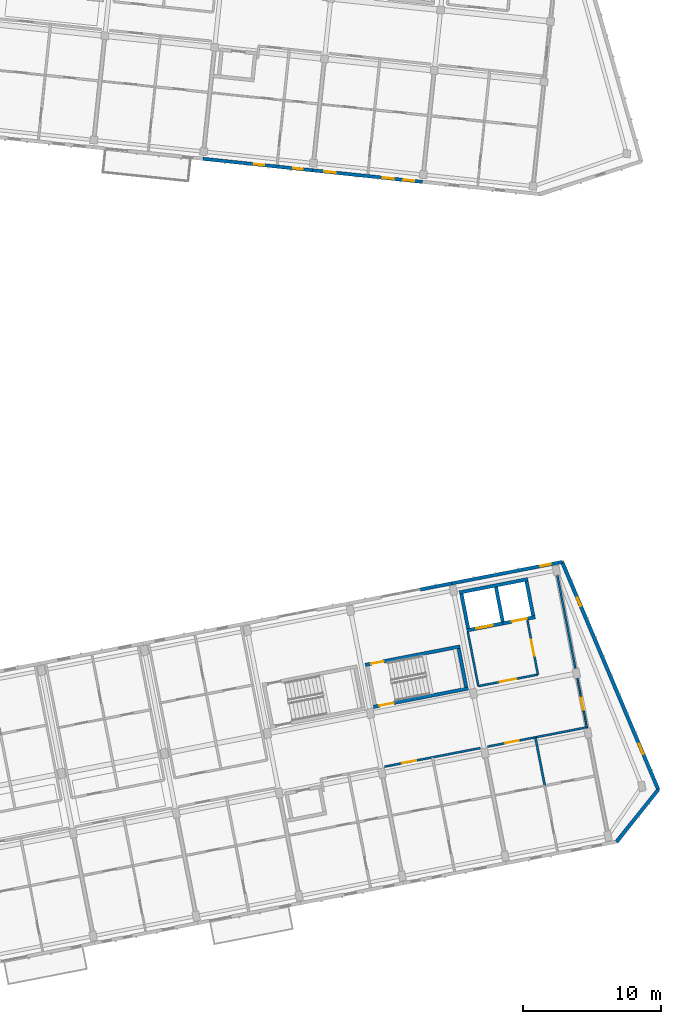
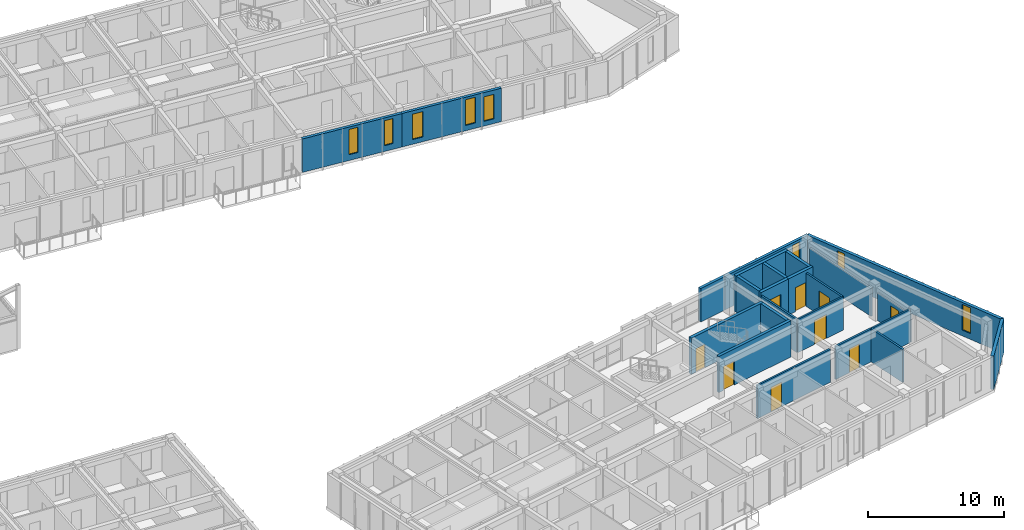
# One storey, part 90 of 127: 23 walls, 9 doors, 8 windows, 17 openings.
"""IFC4 building model written with IfcOpenShell, lengths in metres."""

from ifc_helpers import new_model, si_unit, direction, frame, frame_2d, origin, place, context, subcontext, project, spatial, rectangle, extrude, material, layer, layer_set, type_object, element, fill, save


model = new_model("IFC4")

# Units and contexts
model_context = context("Model", 3, precision=1e-05, world=origin(), true_north=direction((0.0, 1.0)))
body_context = subcontext(model_context, "Body", "Model", "MODEL_VIEW")
ifc_project = project(units=[si_unit("LENGTHUNIT", "METRE"), si_unit("AREAUNIT", "SQUARE_METRE"), si_unit("VOLUMEUNIT", "CUBIC_METRE"), si_unit("PLANEANGLEUNIT", "RADIAN"), si_unit("MASSUNIT", "GRAM", prefix="KILO")], contexts=[model_context])

# Site, building, storey
site_placement = place(None, origin())
site = spatial("IfcSite", under=ifc_project, at=site_placement, CompositionType="ELEMENT")
building_placement = place(site_placement, origin())
building = spatial("IfcBuilding", under=site, at=building_placement, Name="Kestramere Prow Commons", CompositionType="ELEMENT")
storey_placement = place(building_placement, frame((0.0, 0.0, 8.39990234375)))
storey = spatial("IfcBuildingStorey", under=building, at=storey_placement, Name="L02", CompositionType="ELEMENT", Elevation=8.39990234375)

# Wall, openings, windows
ifc_material_1 = material(Name="Weathered Zinc-Titanium Standing-Seam Cladding")
ifc_layer_1 = layer(ifc_material_1, 0.260009765625)
ifc_layer_set_1 = layer_set([ifc_layer_1], Name="Weathered Zinc-Titanium Standing-Seam Cladding")
wall_type_1 = type_object("IfcWallType", Name="EW-PROW-260", PredefinedType="SOLIDWALL", material=ifc_layer_set_1)
wall_1_placement = place(storey_placement, frame((159.83740234375, 62.556396484375, 0.0), z_axis=(0.0, 0.0, 1.0), x_axis=(0.389225507936, -0.921142499276, 0.0)))
wall_1 = element("IfcWall", 1, at=wall_1_placement, inside=storey, type_object=wall_type_1, Name="Block D L02 PRW-N Facet Wall", PredefinedType="SOLIDWALL", context=body_context, shape_type="SweptSolid", body=[
    extrude(rectangle(XDim=17.910400390625, YDim=0.260009765625, at=frame_2d((8.955078125, 0.0))), origin(), (0.0, 0.0, 1.0), 3.0),
])
opening_1_placement = place(wall_1_placement, frame((2.81005859375, 0.0, 0.449951171875)))
opening_1 = element("IfcOpeningElement", 2, at=opening_1_placement, cuts=wall_1, Name="Opening WN-05", PredefinedType="OPENING", context=body_context, shape_type="SweptSolid", body=[
    extrude(rectangle(XDim=0.659912109375, YDim=2.320068359375, at=frame_2d((0.330078125, 1.16015625))), frame((0.0, 0.14501953125, 0.0), z_axis=(0.0, -1.0, 0.0), x_axis=(1.0, 0.0, 0.0)), (0.0, 0.0, 1.0), 0.2900390625),
])
opening_2_placement = place(wall_1_placement, frame((14.30029296875, 0.0, 0.52001953125)))
opening_2 = element("IfcOpeningElement", 3, at=opening_2_placement, cuts=wall_1, Name="Opening WN-12", PredefinedType="OPENING", context=body_context, shape_type="SweptSolid", body=[
    extrude(rectangle(XDim=0.800048828125, YDim=2.300048828125, at=frame_2d((0.39990234375, 1.14990234375))), frame((0.0, 0.14501953125, 0.0), z_axis=(0.0, -1.0, 0.0), x_axis=(1.0, 0.0, 0.0)), (0.0, 0.0, 1.0), 0.2900390625),
])
ifc_material_2 = material(Name="Low-E Laminated Double Glazing", Category="glass")
window_type_1 = type_object("IfcWindowType", Name="WN-NAR-660A", PartitioningType="SINGLE_PANEL", PredefinedType="WINDOW", material=ifc_material_2)
window_1_placement = place(opening_1_placement, origin())
window_1 = element("IfcWindow", 4, at=window_1_placement, inside=storey, type_object=window_type_1, Name="WN-D-L02-PRW-N-0", OverallHeight=2.320068359375, OverallWidth=0.659912109375, PartitioningType="SINGLE_PANEL", PredefinedType="WINDOW", context=body_context, shape_type="SweptSolid", body=[
    extrude(rectangle(XDim=0.659912109375, YDim=2.320068359375, at=frame_2d((0.330078125, 1.16015625))), frame((0.0, 0.030029296875, 0.0), z_axis=(0.0, -1.0, 0.0), x_axis=(1.0, 0.0, 0.0)), (0.0, 0.0, 1.0), 0.06005859375),
])
fill(opening_1, window_1)
window_type_2 = type_object("IfcWindowType", Name="WN-NAR-800A", PartitioningType="SINGLE_PANEL", PredefinedType="WINDOW", material=ifc_material_2)
window_2_placement = place(opening_2_placement, origin())
window_2 = element("IfcWindow", 5, at=window_2_placement, inside=storey, type_object=window_type_2, Name="WN-D-L02-PRW-N-1", OverallHeight=2.300048828125, OverallWidth=0.800048828125, PartitioningType="SINGLE_PANEL", PredefinedType="WINDOW", context=body_context, shape_type="SweptSolid", body=[
    extrude(rectangle(XDim=0.800048828125, YDim=2.300048828125, at=frame_2d((0.39990234375, 1.14990234375))), frame((0.0, 0.030029296875, 0.0), z_axis=(0.0, -1.0, 0.0), x_axis=(1.0, 0.0, 0.0)), (0.0, 0.0, 1.0), 0.06005859375),
])
fill(opening_2, window_2)

# Wall
wall_2_placement = place(storey_placement, frame((166.80859375, 46.058349609375, 0.0), z_axis=(0.0, 0.0, 1.0), x_axis=(-0.626281072923, -0.779597343312, 0.0)))
element("IfcWall", 6, at=wall_2_placement, inside=storey, type_object=wall_type_1, Name="Block D L02 PRW-S Facet Wall", PredefinedType="SOLIDWALL", context=body_context, shape_type="SweptSolid", body=[
    extrude(rectangle(XDim=4.83935546875, YDim=0.260009765625, at=frame_2d((2.419677734375, 0.0))), origin(), (0.0, 0.0, 1.0), 3.0),
])

# Wall, openings, windows
ifc_material_3 = material(Name="Fluoropolymer Standing-Seam Zinc-Aluminium Cladding", Category="aluminium")
ifc_layer_2 = layer(ifc_material_3, 0.239990234375)
ifc_layer_set_2 = layer_set([ifc_layer_2], Name="Fluoropolymer Standing-Seam Zinc-Aluminium Cladding")
wall_type_2 = type_object("IfcWallType", Name="EW-SEAM-240", PredefinedType="SOLIDWALL", material=ifc_layer_set_2)
wall_3_placement = place(storey_placement, frame((141.769775390625, 90.932861328125, 0.0), z_axis=(0.0, 0.0, 1.0), x_axis=(-0.994519156568, 0.104554517933, 0.0)))
wall_3 = element("IfcWall", 7, at=wall_3_placement, inside=storey, type_object=wall_type_2, Name="Block B L02 South Standing-Seam Wall 4", PredefinedType="SOLIDWALL", context=body_context, shape_type="SweptSolid", body=[
    extrude(rectangle(XDim=8.0, YDim=0.239990234375, at=frame_2d((4.0, 0.0))), origin(), (0.0, 0.0, 1.0), 3.0),
])
opening_3_placement = place(wall_3_placement, frame((0.726318359375, 0.0, 0.52001953125)))
opening_3 = element("IfcOpeningElement", 8, at=opening_3_placement, cuts=wall_3, Name="Opening WN-06", PredefinedType="OPENING", context=body_context, shape_type="SweptSolid", body=[
    extrude(rectangle(XDim=0.679931640625, YDim=2.239990234375, at=frame_2d((0.33984375, 1.1201171875))), frame((0.0, 0.135009765625, 0.0), z_axis=(0.0, -1.0, 0.0), x_axis=(1.0, 0.0, 0.0)), (0.0, 0.0, 1.0), 0.27001953125),
])
opening_4_placement = place(wall_3_placement, frame((3.53076171875, 0.0, 0.52001953125)))
opening_4 = element("IfcOpeningElement", 9, at=opening_4_placement, cuts=wall_3, Name="Opening WN-09", PredefinedType="OPENING", context=body_context, shape_type="SweptSolid", body=[
    extrude(rectangle(XDim=0.739990234375, YDim=2.260009765625, at=frame_2d((0.3701171875, 1.1298828125))), frame((0.0, 0.135009765625, 0.0), z_axis=(0.0, -1.0, 0.0), x_axis=(1.0, 0.0, 0.0)), (0.0, 0.0, 1.0), 0.27001953125),
])
window_type_3 = type_object("IfcWindowType", Name="WN-NAR-680A", PartitioningType="SINGLE_PANEL", PredefinedType="WINDOW", material=ifc_material_2)
window_3_placement = place(opening_3_placement, origin())
window_3 = element("IfcWindow", 10, at=window_3_placement, inside=storey, type_object=window_type_3, Name="WN-B-L02-S-3-00", OverallHeight=2.239990234375, OverallWidth=0.679931640625, PartitioningType="SINGLE_PANEL", PredefinedType="WINDOW", context=body_context, shape_type="SweptSolid", body=[
    extrude(rectangle(XDim=0.679931640625, YDim=2.239990234375, at=frame_2d((0.33984375, 1.1201171875))), frame((0.0, 0.030029296875, 0.0), z_axis=(0.0, -1.0, 0.0), x_axis=(1.0, 0.0, 0.0)), (0.0, 0.0, 1.0), 0.06005859375),
])
fill(opening_3, window_3)
window_type_4 = type_object("IfcWindowType", Name="WN-NAR-740A", PartitioningType="SINGLE_PANEL", PredefinedType="WINDOW", material=ifc_material_2)
window_4_placement = place(opening_4_placement, origin())
window_4 = element("IfcWindow", 11, at=window_4_placement, inside=storey, type_object=window_type_4, Name="WN-B-L02-S-3-10", OverallHeight=2.260009765625, OverallWidth=0.739990234375, PartitioningType="SINGLE_PANEL", PredefinedType="WINDOW", context=body_context, shape_type="SweptSolid", body=[
    extrude(rectangle(XDim=0.739990234375, YDim=2.260009765625, at=frame_2d((0.3701171875, 1.1298828125))), frame((0.0, 0.030029296875, 0.0), z_axis=(0.0, -1.0, 0.0), x_axis=(1.0, 0.0, 0.0)), (0.0, 0.0, 1.0), 0.06005859375),
])
fill(opening_4, window_4)

wall_4_placement = place(storey_placement, frame((149.72607421875, 90.0966796875, 0.0), z_axis=(0.0, 0.0, 1.0), x_axis=(-0.994522662826, 0.104521161134, 0.0)))
wall_4 = element("IfcWall", 12, at=wall_4_placement, inside=storey, type_object=wall_type_2, Name="Block B L02 South Standing-Seam Wall 5", PredefinedType="SOLIDWALL", context=body_context, shape_type="SweptSolid", body=[
    extrude(rectangle(XDim=8.0, YDim=0.239990234375, at=frame_2d((4.0, 0.0))), origin(), (0.0, 0.0, 1.0), 3.0),
])
opening_5_placement = place(wall_4_placement, frame((0.610107421875, 0.0, 0.419921875)))
opening_5 = element("IfcOpeningElement", 13, at=opening_5_placement, cuts=wall_4, Name="Opening WN-11", PredefinedType="OPENING", context=body_context, shape_type="SweptSolid", body=[
    extrude(rectangle(XDim=0.780029296875, YDim=2.199951171875, at=frame_2d((0.39013671875, 1.10009765625))), frame((0.0, 0.135009765625, 0.0), z_axis=(0.0, -1.0, 0.0), x_axis=(1.0, 0.0, 0.0)), (0.0, 0.0, 1.0), 0.27001953125),
])
opening_6_placement = place(wall_4_placement, frame((2.10009765625, 0.0, 0.47998046875)))
opening_6 = element("IfcOpeningElement", 14, at=opening_6_placement, cuts=wall_4, Name="Opening WN-12", PredefinedType="OPENING", context=body_context, shape_type="SweptSolid", body=[
    extrude(rectangle(XDim=0.800048828125, YDim=2.300048828125, at=frame_2d((0.39990234375, 1.14990234375))), frame((0.0, 0.135009765625, 0.0), z_axis=(0.0, -1.0, 0.0), x_axis=(1.0, 0.0, 0.0)), (0.0, 0.0, 1.0), 0.27001953125),
])
opening_7_placement = place(wall_4_placement, frame((6.327392578125, 0.0, 0.419921875)))
opening_7 = element("IfcOpeningElement", 15, at=opening_7_placement, cuts=wall_4, Name="Opening WN-14", PredefinedType="OPENING", context=body_context, shape_type="SweptSolid", body=[
    extrude(rectangle(XDim=0.840087890625, YDim=2.280029296875, at=frame_2d((0.419921875, 1.14013671875))), frame((0.0, 0.135009765625, 0.0), z_axis=(0.0, -1.0, 0.0), x_axis=(1.0, 0.0, 0.0)), (0.0, 0.0, 1.0), 0.27001953125),
])
window_type_5 = type_object("IfcWindowType", Name="WN-NAR-780A", PartitioningType="SINGLE_PANEL", PredefinedType="WINDOW", material=ifc_material_2)
window_5_placement = place(opening_5_placement, origin())
window_5 = element("IfcWindow", 16, at=window_5_placement, inside=storey, type_object=window_type_5, Name="WN-B-L02-S-4-00", OverallHeight=2.199951171875, OverallWidth=0.780029296875, PartitioningType="SINGLE_PANEL", PredefinedType="WINDOW", context=body_context, shape_type="SweptSolid", body=[
    extrude(rectangle(XDim=0.780029296875, YDim=2.199951171875, at=frame_2d((0.39013671875, 1.10009765625))), frame((0.0, 0.030029296875, 0.0), z_axis=(0.0, -1.0, 0.0), x_axis=(1.0, 0.0, 0.0)), (0.0, 0.0, 1.0), 0.06005859375),
])
fill(opening_5, window_5)
window_6_placement = place(opening_6_placement, origin())
window_6 = element("IfcWindow", 17, at=window_6_placement, inside=storey, type_object=window_type_2, Name="WN-B-L02-S-4-01", OverallHeight=2.300048828125, OverallWidth=0.800048828125, PartitioningType="SINGLE_PANEL", PredefinedType="WINDOW", context=body_context, shape_type="SweptSolid", body=[
    extrude(rectangle(XDim=0.800048828125, YDim=2.300048828125, at=frame_2d((0.39990234375, 1.14990234375))), frame((0.0, 0.030029296875, 0.0), z_axis=(0.0, -1.0, 0.0), x_axis=(1.0, 0.0, 0.0)), (0.0, 0.0, 1.0), 0.06005859375),
])
fill(opening_6, window_6)
window_type_6 = type_object("IfcWindowType", Name="WN-NAR-840A", PartitioningType="DOUBLE_PANEL_VERTICAL", PredefinedType="WINDOW", material=ifc_material_2)
window_7_placement = place(opening_7_placement, origin())
window_7 = element("IfcWindow", 18, at=window_7_placement, inside=storey, type_object=window_type_6, Name="WN-B-L02-S-4-10", OverallHeight=2.280029296875, OverallWidth=0.840087890625, PartitioningType="SINGLE_PANEL", PredefinedType="WINDOW", context=body_context, shape_type="SweptSolid", body=[
    extrude(rectangle(XDim=0.840087890625, YDim=2.280029296875, at=frame_2d((0.419921875, 1.14013671875))), frame((0.0, 0.030029296875, 0.0), z_axis=(0.0, -1.0, 0.0), x_axis=(1.0, 0.0, 0.0)), (0.0, 0.0, 1.0), 0.06005859375),
])
fill(opening_7, window_7)

# Wall
wall_5_placement = place(storey_placement, frame((149.530517578125, 60.552734375, 0.0), z_axis=(0.0, 0.0, 1.0), x_axis=(0.98161057432, 0.190894422087, 0.0)))
element("IfcWall", 19, at=wall_5_placement, inside=storey, type_object=wall_type_2, Name="Block D L02 North Standing-Seam Pier 5R", PredefinedType="SOLIDWALL", context=body_context, shape_type="SweptSolid", body=[
    extrude(rectangle(XDim=2.375, YDim=0.239990234375, at=frame_2d((1.1875, 0.0))), origin(), (0.0, 0.0, 1.0), 3.0),
])

# Wall, opening, window
wall_6_placement = place(storey_placement, frame((151.86181640625, 61.006103515625, 0.0), z_axis=(0.0, 0.0, 1.0), x_axis=(0.981627273155, 0.190808533872, 0.0)))
wall_6 = element("IfcWall", 20, at=wall_6_placement, inside=storey, type_object=wall_type_2, Name="Block D L02 North Standing-Seam Wall 6", PredefinedType="SOLIDWALL", context=body_context, shape_type="SweptSolid", body=[
    extrude(rectangle(XDim=8.124755859375, YDim=0.239990234375, at=frame_2d((4.0625, 0.0))), origin(), (0.0, 0.0, 1.0), 3.0),
])
opening_8_placement = place(wall_6_placement, frame((6.52490234375, 0.0, 0.449951171875)))
opening_8 = element("IfcOpeningElement", 21, at=opening_8_placement, cuts=wall_6, Name="Opening WN-19", PredefinedType="OPENING", context=body_context, shape_type="SweptSolid", body=[
    extrude(rectangle(XDim=0.75, YDim=2.320068359375, at=frame_2d((0.375, 1.16015625))), frame((0.0, 0.135009765625, 0.0), z_axis=(0.0, -1.0, 0.0), x_axis=(1.0, 0.0, 0.0)), (0.0, 0.0, 1.0), 0.27001953125),
])
window_type_7 = type_object("IfcWindowType", Name="WN-CLER-1800", PartitioningType="SINGLE_PANEL", PredefinedType="WINDOW", material=ifc_material_2)
window_8_placement = place(opening_8_placement, origin())
window_8 = element("IfcWindow", 22, at=window_8_placement, inside=storey, type_object=window_type_7, Name="Block D L02 Core Lobby Slot Window", OverallHeight=2.320068359375, OverallWidth=0.75, PartitioningType="SINGLE_PANEL", PredefinedType="WINDOW", context=body_context, shape_type="SweptSolid", body=[
    extrude(rectangle(XDim=0.75, YDim=2.320068359375, at=frame_2d((0.375, 1.16015625))), frame((0.0, 0.030029296875, 0.0), z_axis=(0.0, -1.0, 0.0), x_axis=(1.0, 0.0, 0.0)), (0.0, 0.0, 1.0), 0.06005859375),
])
fill(opening_8, window_8)

# Wall
ifc_material_4 = material(Name="Concrete C40/50", Category="concrete")
ifc_layer_3 = layer(ifc_material_4, 0.25)
ifc_layer_set_3 = layer_set([ifc_layer_3], Name="Concrete C40/50")
wall_type_3 = type_object("IfcWallType", Name="W-CORE-250", PredefinedType="SHEAR", material=ifc_layer_set_3)
wall_7_placement = place(storey_placement, frame((152.3974609375, 60.34619140625, 0.0), z_axis=(0.0, 0.0, 1.0), x_axis=(0.981635261308, 0.190767433692, 0.0)))
element("IfcWall", 23, at=wall_7_placement, inside=storey, type_object=wall_type_3, Name="Block D L02 Lift Core Back Wall", PredefinedType="SHEAR", context=body_context, shape_type="SweptSolid", body=[
    extrude(rectangle(XDim=5.050048828125, YDim=0.25, at=frame_2d((2.52490234375, 0.0))), origin(), (0.0, 0.0, 1.0), 3.25),
])

# Wall, opening, door
wall_8_placement = place(storey_placement, frame((152.931884765625, 57.59765625, 0.0), z_axis=(0.0, 0.0, 1.0), x_axis=(0.981636759622, 0.190759723627, 0.0)))
wall_8 = element("IfcWall", 24, at=wall_8_placement, inside=storey, type_object=wall_type_3, Name="Block D L02 Fire Lift Shaft Front Wall", PredefinedType="SHEAR", context=body_context, shape_type="SweptSolid", body=[
    extrude(rectangle(XDim=2.6748046875, YDim=0.25, at=frame_2d((1.33740234375, 0.0))), origin(), (0.0, 0.0, 1.0), 3.25),
])
opening_9_placement = place(wall_8_placement, frame((0.719970703125, 0.0, 0.0)))
opening_9 = element("IfcOpeningElement", 25, at=opening_9_placement, cuts=wall_8, Name="Opening LD-02", PredefinedType="OPENING", context=body_context, shape_type="SweptSolid", body=[
    extrude(rectangle(XDim=1.199951171875, YDim=2.199951171875, at=frame_2d((0.60009765625, 1.10009765625))), frame((0.0, 0.139892578125, 0.0), z_axis=(0.0, -1.0, 0.0), x_axis=(1.0, 0.0, 0.0)), (0.0, 0.0, 1.0), 0.280029296875),
])
ifc_material_5 = material(Name="Brushed Stainless Steel 316", Category="steel")
door_type_1 = type_object("IfcDoorType", Name="LD-02", OperationType="DOUBLE_DOOR_SLIDING", PredefinedType="DOOR", material=ifc_material_5)
door_1_placement = place(opening_9_placement, origin())
door_1 = element("IfcDoor", 26, at=door_1_placement, inside=storey, type_object=door_type_1, Name="FL-D1 L02 Lift Landing Door", OperationType="DOUBLE_DOOR_SLIDING", OverallHeight=2.199951171875, OverallWidth=1.199951171875, PredefinedType="DOOR", context=body_context, shape_type="SweptSolid", body=[
    extrude(rectangle(XDim=1.199951171875, YDim=2.199951171875, at=frame_2d((0.60009765625, 1.10009765625))), frame((0.0, 0.02490234375, 0.0), z_axis=(0.0, -1.0, 0.0), x_axis=(1.0, 0.0, 0.0)), (0.0, 0.0, 1.0), 0.050048828125),
])
fill(opening_9, door_1)

wall_9_placement = place(storey_placement, frame((155.5576171875, 58.10791015625, 0.0), z_axis=(0.0, 0.0, 1.0), x_axis=(0.981633573872, 0.190776116556, 0.0)))
wall_9 = element("IfcWall", 27, at=wall_9_placement, inside=storey, type_object=wall_type_3, Name="Block D L02 Passenger Lift Shaft Front Wall", PredefinedType="SHEAR", context=body_context, shape_type="SweptSolid", body=[
    extrude(rectangle(XDim=2.375244140625, YDim=0.25, at=frame_2d((1.1875, 0.0))), origin(), (0.0, 0.0, 1.0), 3.25),
])
opening_10_placement = place(wall_9_placement, frame((0.64990234375, 0.0, 0.0)))
opening_10 = element("IfcOpeningElement", 28, at=opening_10_placement, cuts=wall_9, Name="Opening LD-01", PredefinedType="OPENING", context=body_context, shape_type="SweptSolid", body=[
    extrude(rectangle(XDim=1.10009765625, YDim=2.14990234375, at=frame_2d((0.550048828125, 1.074951171875))), frame((0.0, 0.139892578125, 0.0), z_axis=(0.0, -1.0, 0.0), x_axis=(1.0, 0.0, 0.0)), (0.0, 0.0, 1.0), 0.280029296875),
])
ifc_material_6 = material(Name="Brushed Stainless Steel 304", Category="steel")
door_type_2 = type_object("IfcDoorType", Name="LD-01", OperationType="DOUBLE_DOOR_SLIDING", PredefinedType="DOOR", material=ifc_material_6)
door_2_placement = place(opening_10_placement, origin())
door_2 = element("IfcDoor", 29, at=door_2_placement, inside=storey, type_object=door_type_2, Name="PL-D2 L02 Lift Landing Door", OperationType="DOUBLE_DOOR_SLIDING", OverallHeight=2.14990234375, OverallWidth=1.10009765625, PredefinedType="DOOR", context=body_context, shape_type="SweptSolid", body=[
    extrude(rectangle(XDim=1.10009765625, YDim=2.14990234375, at=frame_2d((0.550048828125, 1.074951171875))), frame((0.0, 0.02490234375, 0.0), z_axis=(0.0, -1.0, 0.0), x_axis=(1.0, 0.0, 0.0)), (0.0, 0.0, 1.0), 0.050048828125),
])
fill(opening_10, door_2)

# Walls
for number, where, z_axis, x_axis, name in (
    (30, (153.03076171875, 57.744140625, 0.0), (0.0, 0.0, 1.0), (-0.190810719655, 0.98162684828, 0.0), "Block D L02 Lift Core Side Wall L"),
    (31, (155.533935546875, 58.230712890625, 0.0), (0.0, 0.0, 1.0), (-0.190810719655, 0.98162684828, 0.0), "Block D L02 Lift Core Side Wall M"),
    (32, (157.742431640625, 58.659912109375, 0.0), (0.0, 0.0, 1.0), (-0.190810719655, 0.98162684828, 0.0), "Block D L02 Lift Core Side Wall R"),
):
    element("IfcWall", number, at=place(storey_placement, frame(where, z_axis=z_axis, x_axis=x_axis)), inside=storey, type_object=wall_type_3, Name=name, PredefinedType="SHEAR", context=body_context, shape_type="SweptSolid", body=[
        extrude(rectangle(XDim=2.550048828125, YDim=0.25, at=frame_2d((1.27490234375, 0.0))), origin(), (0.0, 0.0, 1.0), 3.25),
    ])

# Wall, opening, door
wall_10_placement = place(storey_placement, frame((145.57373046875, 55.09765625, 0.0), z_axis=(0.0, 0.0, 1.0), x_axis=(0.981626097708, 0.19081458094, 0.0)))
wall_10 = element("IfcWall", 33, at=wall_10_placement, inside=storey, type_object=wall_type_3, Name="ST-D2 L02 North Shaft Wall", PredefinedType="SHEAR", context=body_context, shape_type="SweptSolid", body=[
    extrude(rectangle(XDim=7.0, YDim=0.25, at=frame_2d((3.5, 0.0))), origin(), (0.0, 0.0, 1.0), 3.25),
])
opening_11_placement = place(wall_10_placement, frame((0.449951171875, 0.0, 0.0)))
opening_11 = element("IfcOpeningElement", 34, at=opening_11_placement, cuts=wall_10, Name="Opening ID-08", PredefinedType="OPENING", context=body_context, shape_type="SweptSolid", body=[
    extrude(rectangle(XDim=0.89990234375, YDim=2.10009765625, at=frame_2d((0.449951171875, 1.050048828125))), frame((0.0, 0.139892578125, 0.0), z_axis=(0.0, -1.0, 0.0), x_axis=(1.0, 0.0, 0.0)), (0.0, 0.0, 1.0), 0.280029296875),
])
ifc_material_7 = material(Name="Engineered Timber Flush Door", Category="wood")
door_type_3 = type_object("IfcDoorType", Name="D-RM-01", OperationType="NOTDEFINED", PredefinedType="DOOR", material=ifc_material_7)
door_3_placement = place(opening_11_placement, origin())
door_3 = element("IfcDoor", 35, at=door_3_placement, inside=storey, type_object=door_type_3, Name="ST-D2 L02 North Room Door", OperationType="SINGLE_SWING_RIGHT", OverallHeight=2.10009765625, OverallWidth=0.89990234375, PredefinedType="DOOR", context=body_context, shape_type="SweptSolid", body=[
    extrude(rectangle(XDim=0.89990234375, YDim=2.10009765625, at=frame_2d((0.449951171875, 1.050048828125))), frame((0.0, 0.02490234375, 0.0), z_axis=(0.0, -1.0, 0.0), x_axis=(1.0, 0.0, 0.0)), (0.0, 0.0, 1.0), 0.050048828125),
])
fill(opening_11, door_3)

wall_11_placement = place(storey_placement, frame((146.1650390625, 52.054443359375, 0.0), z_axis=(0.0, 0.0, 1.0), x_axis=(0.981627367538, 0.190808048312, 0.0)))
wall_11 = element("IfcWall", 36, at=wall_11_placement, inside=storey, type_object=wall_type_3, Name="ST-D2 L02 Corridor Shaft Wall", PredefinedType="SHEAR", context=body_context, shape_type="SweptSolid", body=[
    extrude(rectangle(XDim=7.000244140625, YDim=0.25, at=frame_2d((3.5, 0.0))), origin(), (0.0, 0.0, 1.0), 3.25),
])
opening_12_placement = place(wall_11_placement, frame((0.449951171875, 0.0, 0.0)))
opening_12 = element("IfcOpeningElement", 37, at=opening_12_placement, cuts=wall_11, Name="Opening ID-01", PredefinedType="OPENING", context=body_context, shape_type="SweptSolid", body=[
    extrude(rectangle(XDim=1.050048828125, YDim=2.14990234375, at=frame_2d((0.52490234375, 1.074951171875))), frame((0.0, 0.139892578125, 0.0), z_axis=(0.0, -1.0, 0.0), x_axis=(1.0, 0.0, 0.0)), (0.0, 0.0, 1.0), 0.280029296875),
])
ifc_material_8 = material(Name="Fire-Rated Timber and Steel Frame", Category="steel")
door_type_4 = type_object("IfcDoorType", Name="FD-ST-01", OperationType="NOTDEFINED", PredefinedType="DOOR", material=ifc_material_8)
door_4_placement = place(opening_12_placement, origin())
door_4 = element("IfcDoor", 38, at=door_4_placement, inside=storey, type_object=door_type_4, Name="ST-D2 L02 Protected Stair Door", OperationType="SINGLE_SWING_LEFT", OverallHeight=2.14990234375, OverallWidth=1.050048828125, PredefinedType="DOOR", context=body_context, shape_type="SweptSolid", body=[
    extrude(rectangle(XDim=1.050048828125, YDim=2.14990234375, at=frame_2d((0.52490234375, 1.074951171875))), frame((0.0, 0.02490234375, 0.0), z_axis=(0.0, -1.0, 0.0), x_axis=(1.0, 0.0, 0.0)), (0.0, 0.0, 1.0), 0.050048828125),
])
fill(opening_12, door_4)

# Wall
wall_12_placement = place(storey_placement, frame((152.889892578125, 53.489013671875, 0.0), z_axis=(0.0, 0.0, 1.0), x_axis=(-0.190775649797, 0.981633664584, 0.0)))
element("IfcWall", 39, at=wall_12_placement, inside=storey, type_object=wall_type_3, Name="ST-D2 L02 Far Shaft Wall", PredefinedType="SHEAR", context=body_context, shape_type="SweptSolid", body=[
    extrude(rectangle(XDim=2.849853515625, YDim=0.25, at=frame_2d((1.4248046875, 0.0))), origin(), (0.0, 0.0, 1.0), 3.25),
])

# Wall, opening, door
ifc_material_9 = material(Name="Fire-Rated Calcium Silicate Wall")
ifc_layer_4 = layer(ifc_material_9, 0.155029296875)
ifc_layer_set_4 = layer_set([ifc_layer_4], Name="Fire-Rated Calcium Silicate Wall")
wall_type_4 = type_object("IfcWallType", Name="W-FIRE-150", PredefinedType="PARTITIONING", material=ifc_layer_set_4)
wall_13_placement = place(storey_placement, frame((153.76806640625, 53.557861328125, 0.0), z_axis=(0.0, 0.0, 1.0), x_axis=(0.981624918225, 0.190820648566, 0.0)))
wall_13 = element("IfcWall", 40, at=wall_13_placement, inside=storey, type_object=wall_type_4, Name="Interior Partition PW-D-L02-FFL-S", PredefinedType="PARTITIONING", context=body_context, shape_type="SweptSolid", body=[
    extrude(rectangle(XDim=4.39990234375, YDim=0.155029296875, at=frame_2d((2.199951171875, 0.0))), origin(), (0.0, 0.0, 1.0), 2.97021484375),
])
opening_13_placement = place(wall_13_placement, frame((1.60009765625, 0.0, 0.0)))
opening_13 = element("IfcOpeningElement", 41, at=opening_13_placement, cuts=wall_13, Name="Opening ID-03", PredefinedType="OPENING", context=body_context, shape_type="SweptSolid", body=[
    extrude(rectangle(XDim=1.179931640625, YDim=2.14990234375, at=frame_2d((0.58984375, 1.074951171875))), frame((0.0, 0.092529296875, 0.0), z_axis=(0.0, -1.0, 0.0), x_axis=(1.0, 0.0, 0.0)), (0.0, 0.0, 1.0), 0.18505859375),
])
ifc_material_10 = material(Name="Fire-Rated Glazed Smoke-Stop Door")
door_type_5 = type_object("IfcDoorType", Name="FD-LB-01", OperationType="NOTDEFINED", PredefinedType="DOOR", material=ifc_material_10)
door_5_placement = place(opening_13_placement, origin())
door_5 = element("IfcDoor", 42, at=door_5_placement, inside=storey, type_object=door_type_5, Name="Interior Door DR-D-L02-FFL", OperationType="SINGLE_SWING_LEFT", OverallHeight=2.14990234375, OverallWidth=1.179931640625, PredefinedType="DOOR", context=body_context, shape_type="SweptSolid", body=[
    extrude(rectangle(XDim=1.179931640625, YDim=2.14990234375, at=frame_2d((0.58984375, 1.074951171875))), frame((0.0, 0.02490234375, 0.0), z_axis=(0.0, -1.0, 0.0), x_axis=(1.0, 0.0, 0.0)), (0.0, 0.0, 1.0), 0.050048828125),
])
fill(opening_13, door_5)

# Wall
wall_14_placement = place(storey_placement, frame((153.76806640625, 53.557861328125, 0.0), z_axis=(0.0, 0.0, 1.0), x_axis=(-0.19085495634, 0.981618248425, 0.0)))
element("IfcWall", 43, at=wall_14_placement, inside=storey, type_object=wall_type_4, Name="Interior Partition PW-D-L02-FFL-W", PredefinedType="PARTITIONING", context=body_context, shape_type="SweptSolid", body=[
    extrude(rectangle(XDim=4.0, YDim=0.155029296875, at=frame_2d((2.0, 0.0))), origin(), (0.0, 0.0, 1.0), 2.97021484375),
])

# Wall, opening, door
wall_15_placement = place(storey_placement, frame((158.087158203125, 54.3974609375, 0.0), z_axis=(0.0, 0.0, 1.0), x_axis=(-0.190796144009, 0.981629681413, 0.0)))
wall_15 = element("IfcWall", 44, at=wall_15_placement, inside=storey, type_object=wall_type_4, Name="Interior Partition PW-D-L02-FFL-E", PredefinedType="PARTITIONING", context=body_context, shape_type="SweptSolid", body=[
    extrude(rectangle(XDim=4.0, YDim=0.155029296875, at=frame_2d((2.0, 0.0))), origin(), (0.0, 0.0, 1.0), 2.97021484375),
])
opening_14_placement = place(wall_15_placement, frame((1.39990234375, 0.0, 0.0)))
opening_14 = element("IfcOpeningElement", 45, at=opening_14_placement, cuts=wall_15, Name="Opening ID-03", PredefinedType="OPENING", context=body_context, shape_type="SweptSolid", body=[
    extrude(rectangle(XDim=1.179931640625, YDim=2.14990234375, at=frame_2d((0.58984375, 1.074951171875))), frame((0.0, 0.092529296875, 0.0), z_axis=(0.0, -1.0, 0.0), x_axis=(1.0, 0.0, 0.0)), (0.0, 0.0, 1.0), 0.18505859375),
])
door_6_placement = place(opening_14_placement, origin())
door_6 = element("IfcDoor", 46, at=door_6_placement, inside=storey, type_object=door_type_5, Name="Interior Door DR-D-L02-FFL-PL", OperationType="SINGLE_SWING_LEFT", OverallHeight=2.14990234375, OverallWidth=1.179931640625, PredefinedType="DOOR", context=body_context, shape_type="SweptSolid", body=[
    extrude(rectangle(XDim=1.179931640625, YDim=2.14990234375, at=frame_2d((0.58984375, 1.074951171875))), frame((0.0, 0.02490234375, 0.0), z_axis=(0.0, -1.0, 0.0), x_axis=(1.0, 0.0, 0.0)), (0.0, 0.0, 1.0), 0.050048828125),
])
fill(opening_14, door_6)

wall_16_placement = place(storey_placement, frame((146.96630859375, 47.722900390625, 0.0), z_axis=(0.0, 0.0, 1.0), x_axis=(0.981629923556, 0.190794898199, 0.0)))
wall_16 = element("IfcWall", 47, at=wall_16_placement, inside=storey, type_object=wall_type_4, Name="Interior Partition PW-D-L02-CS-4", PredefinedType="PARTITIONING", context=body_context, shape_type="SweptSolid", body=[
    extrude(rectangle(XDim=7.080078125, YDim=0.155029296875, at=frame_2d((3.5400390625, 0.0))), origin(), (0.0, 0.0, 1.0), 2.97021484375),
])
opening_15_placement = place(wall_16_placement, frame((1.330078125, 0.0, 0.0)))
opening_15 = element("IfcOpeningElement", 48, at=opening_15_placement, cuts=wall_16, Name="Opening ID-05", PredefinedType="OPENING", context=body_context, shape_type="SweptSolid", body=[
    extrude(rectangle(XDim=1.02001953125, YDim=2.199951171875, at=frame_2d((0.510009765625, 1.10009765625))), frame((0.0, 0.092529296875, 0.0), z_axis=(0.0, -1.0, 0.0), x_axis=(1.0, 0.0, 0.0)), (0.0, 0.0, 1.0), 0.18505859375),
])
ifc_material_11 = material(Name="Hardwood Fire-Rated Flat Entrance Door", Category="wood")
door_type_6 = type_object("IfcDoorType", Name="FD-ENT-02", OperationType="NOTDEFINED", PredefinedType="DOOR", material=ifc_material_11)
door_7_placement = place(opening_15_placement, origin())
door_7 = element("IfcDoor", 49, at=door_7_placement, inside=storey, type_object=door_type_6, Name="Interior Door DR-D-L02-ENT-S4", OperationType="SINGLE_SWING_LEFT", OverallHeight=2.199951171875, OverallWidth=1.02001953125, PredefinedType="DOOR", context=body_context, shape_type="SweptSolid", body=[
    extrude(rectangle(XDim=1.02001953125, YDim=2.199951171875, at=frame_2d((0.510009765625, 1.10009765625))), frame((0.0, 0.02490234375, 0.0), z_axis=(0.0, -1.0, 0.0), x_axis=(1.0, 0.0, 0.0)), (0.0, 0.0, 1.0), 0.050048828125),
])
fill(opening_15, door_7)

wall_17_placement = place(storey_placement, frame((154.4267578125, 49.173095703125, 0.0), z_axis=(0.0, 0.0, 1.0), x_axis=(0.981626748283, 0.190811234092, 0.0)))
wall_17 = element("IfcWall", 50, at=wall_17_placement, inside=storey, type_object=wall_type_4, Name="Interior Partition PW-D-L02-CS-5", PredefinedType="PARTITIONING", context=body_context, shape_type="SweptSolid", body=[
    extrude(rectangle(XDim=7.27001953125, YDim=0.155029296875, at=frame_2d((3.635009765625, 0.0))), origin(), (0.0, 0.0, 1.0), 2.97021484375),
])
opening_16_placement = place(wall_17_placement, frame((1.330078125, 0.0, 0.0)))
opening_16 = element("IfcOpeningElement", 51, at=opening_16_placement, cuts=wall_17, Name="Opening ID-04", PredefinedType="OPENING", context=body_context, shape_type="SweptSolid", body=[
    extrude(rectangle(XDim=0.97998046875, YDim=2.14990234375, at=frame_2d((0.489990234375, 1.074951171875))), frame((0.0, 0.092529296875, 0.0), z_axis=(0.0, -1.0, 0.0), x_axis=(1.0, 0.0, 0.0)), (0.0, 0.0, 1.0), 0.18505859375),
])
door_type_7 = type_object("IfcDoorType", Name="FD-ENT-01", OperationType="NOTDEFINED", PredefinedType="DOOR", material=ifc_material_11)
door_8_placement = place(opening_16_placement, origin())
door_8 = element("IfcDoor", 52, at=door_8_placement, inside=storey, type_object=door_type_7, Name="Interior Door DR-D-L02-ENT-S5", OperationType="SINGLE_SWING_RIGHT", OverallHeight=2.14990234375, OverallWidth=0.97998046875, PredefinedType="DOOR", context=body_context, shape_type="SweptSolid", body=[
    extrude(rectangle(XDim=0.97998046875, YDim=2.14990234375, at=frame_2d((0.489990234375, 1.074951171875))), frame((0.0, 0.02490234375, 0.0), z_axis=(0.0, -1.0, 0.0), x_axis=(1.0, 0.0, 0.0)), (0.0, 0.0, 1.0), 0.050048828125),
])
fill(opening_16, door_8)

ifc_material_12 = material(Name="Lightweight Blockwork and Plaster", Category="masonry")
ifc_layer_5 = layer(ifc_material_12, 0.1201171875)
ifc_layer_set_5 = layer_set([ifc_layer_5], Name="Lightweight Blockwork and Plaster")
wall_type_5 = type_object("IfcWallType", Name="W-PART-120", PredefinedType="PARTITIONING", material=ifc_layer_set_5)
wall_18_placement = place(storey_placement, frame((161.643310546875, 50.5146484375, 0.0), z_axis=(0.0, 0.0, 1.0), x_axis=(-0.190805731561, 0.981627817864, 0.0)))
wall_18 = element("IfcWall", 53, at=wall_18_placement, inside=storey, type_object=wall_type_5, Name="Interior Partition PW-D-L02-PROW-ACC", PredefinedType="PARTITIONING", context=body_context, shape_type="SweptSolid", body=[
    extrude(rectangle(XDim=3.679931640625, YDim=0.1201171875, at=frame_2d((1.83984375, 0.0))), origin(), (0.0, 0.0, 1.0), 2.5),
])
opening_17_placement = place(wall_18_placement, frame((1.35009765625, 0.0, 0.0)))
opening_17 = element("IfcOpeningElement", 54, at=opening_17_placement, cuts=wall_18, Name="Opening ID-10", PredefinedType="OPENING", context=body_context, shape_type="SweptSolid", body=[
    extrude(rectangle(XDim=0.8798828125, YDim=2.10009765625, at=frame_2d((0.43994140625, 1.050048828125))), frame((0.0, 0.074951171875, 0.0), z_axis=(0.0, -1.0, 0.0), x_axis=(1.0, 0.0, 0.0)), (0.0, 0.0, 1.0), 0.150146484375),
])
ifc_material_13 = material(Name="Engineered Timber Bedroom Door", Category="wood")
door_type_8 = type_object("IfcDoorType", Name="D-RM-03", OperationType="NOTDEFINED", PredefinedType="DOOR", material=ifc_material_13)
door_9_placement = place(opening_17_placement, origin())
door_9 = element("IfcDoor", 55, at=door_9_placement, inside=storey, type_object=door_type_8, Name="Interior Door DR-D-L02-PROW", OperationType="SINGLE_SWING_LEFT", OverallHeight=2.10009765625, OverallWidth=0.8798828125, PredefinedType="DOOR", context=body_context, shape_type="SweptSolid", body=[
    extrude(rectangle(XDim=0.8798828125, YDim=2.10009765625, at=frame_2d((0.43994140625, 1.050048828125))), frame((0.0, 0.02490234375, 0.0), z_axis=(0.0, -1.0, 0.0), x_axis=(1.0, 0.0, 0.0)), (0.0, 0.0, 1.0), 0.050048828125),
])
fill(opening_17, door_9)

# Walls
ifc_material_14 = material(Name="Masonry Compartment Wall", Category="masonry")
ifc_layer_6 = layer(ifc_material_14, 0.14990234375)
ifc_layer_set_6 = layer_set([ifc_layer_6], Name="Masonry Compartment Wall")
wall_type_6 = type_object("IfcWallType", Name="W-PART-150", PredefinedType="PARTITIONING", material=ifc_layer_set_6)
wall_19_placement = place(storey_placement, frame((160.8037109375, 54.833740234375, 0.0), z_axis=(0.0, 0.0, 1.0), x_axis=(-0.190804123115, 0.981628130507, 0.0)))
element("IfcWall", 56, at=wall_19_placement, inside=storey, type_object=wall_type_6, Name="Interior Partition PW-D-L02-PRW-N", PredefinedType="PARTITIONING", context=body_context, shape_type="SweptSolid", body=[
    extrude(rectangle(XDim=6.880126953125, YDim=0.14990234375, at=frame_2d((3.43994140625, 0.0))), origin(), (0.0, 0.0, 1.0), 2.5),
])
ifc_material_15 = material(Name="Waterproof Sanitary Masonry Wall", Category="masonry")
ifc_layer_7 = layer(ifc_material_15, 0.1650390625)
ifc_layer_set_7 = layer_set([ifc_layer_7], Name="Waterproof Sanitary Masonry Wall")
wall_type_7 = type_object("IfcWallType", Name="W-PLUMB-150", PredefinedType="PLUMBINGWALL", material=ifc_layer_set_7)
wall_20_placement = place(storey_placement, frame((158.5830078125, 46.343994140625, 0.0), z_axis=(0.0, 0.0, 1.0), x_axis=(-0.190865998276, 0.981616101489, 0.0)))
element("IfcWall", 57, at=wall_20_placement, inside=storey, type_object=wall_type_7, Name="Interior Partition PW-D-L02-KB-S5", PredefinedType="PLUMBINGWALL", context=body_context, shape_type="SweptSolid", body=[
    extrude(rectangle(XDim=3.570068359375, YDim=0.1650390625, at=frame_2d((1.78515625, 0.0))), origin(), (0.0, 0.0, 1.0), 2.97021484375),
])

save(model, "model.ifc")
